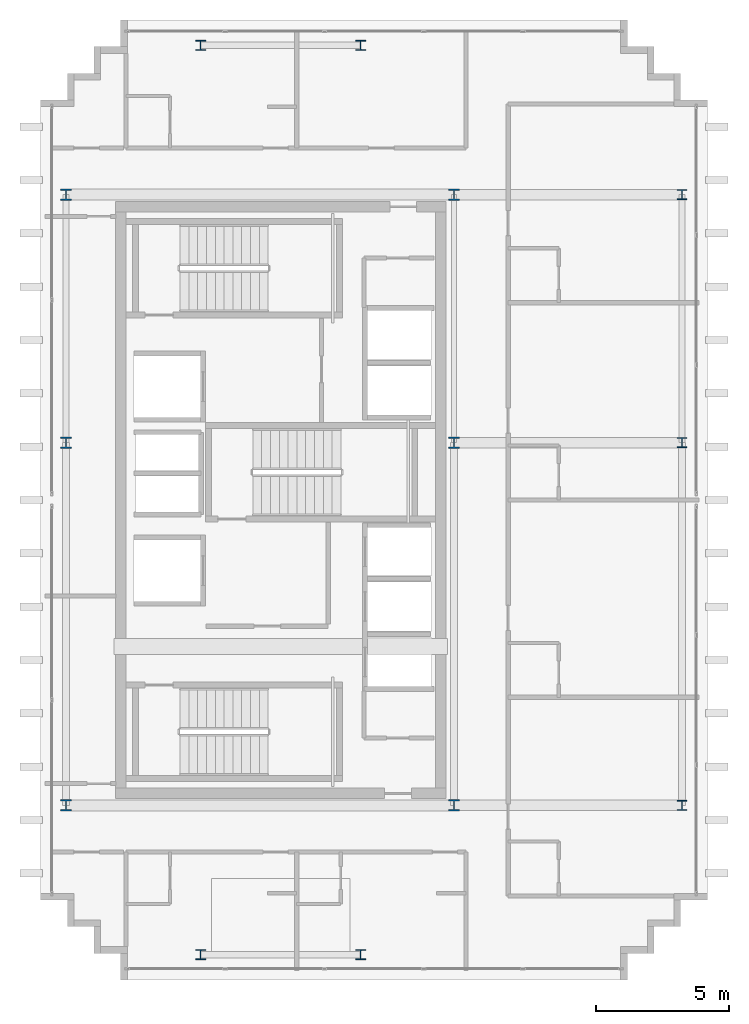
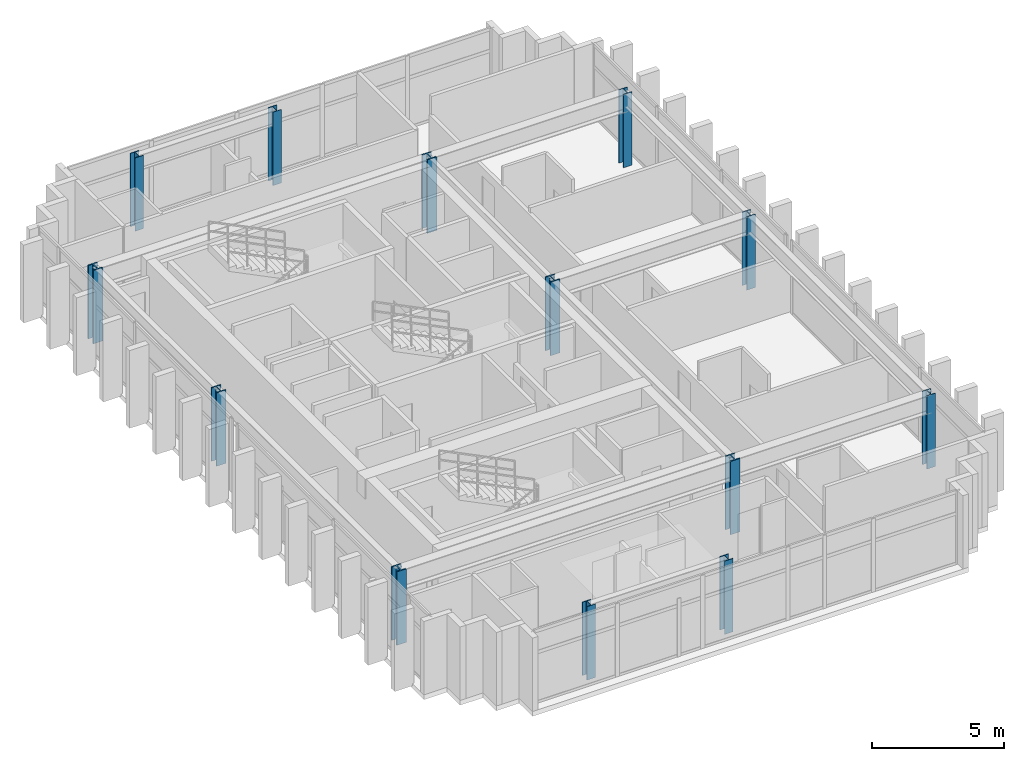
# One storey, part 1 of 15: 13 columns.
"""IFC4 building model written with IfcOpenShell, lengths in metres."""

from ifc_helpers import new_model, si_unit, direction, frame, origin, origin_2d, place, context, subcontext, project, spatial, i_section, extrude, source, transform, mapped, material, material_profile, profile_set, type_object, element, save


model = new_model("IFC4")

# Units and contexts
model_context = context("Model", 3, precision=1e-05, world=origin(), true_north=direction((0.0, 1.0)))
body_context = subcontext(model_context, "Body", "Model", "MODEL_VIEW")
ifc_project = project(units=[si_unit("LENGTHUNIT", "METRE"), si_unit("AREAUNIT", "SQUARE_METRE"), si_unit("VOLUMEUNIT", "CUBIC_METRE"), si_unit("PLANEANGLEUNIT", "RADIAN"), si_unit("MASSUNIT", "GRAM", prefix="KILO")], contexts=[model_context])

# Site, building, storey
site_placement = place(None, origin())
site = spatial("IfcSite", under=ifc_project, at=site_placement, CompositionType="ELEMENT")
building_placement = place(site_placement, origin())
building = spatial("IfcBuilding", under=site, at=building_placement, Name="Ocotamira Hotel", CompositionType="ELEMENT")
storey_placement = place(building_placement, frame((0.0, 0.0, 290.39990234375)))
storey = spatial("IfcBuildingStorey", under=building, at=storey_placement, Name="L74", CompositionType="ELEMENT", Elevation=290.39990234375)

# Columns
ifc_material_1 = material(Name="Steel ASTM A913 Grade 65", Category="steel")
ifc_material_profile_1 = material_profile(ifc_material_1, i_section(OverallWidth=0.412109375, OverallDepth=0.43505859375, WebThickness=0.035888671875, FlangeThickness=0.057373046875, FilletRadius=0.02490234375, at=origin_2d()), Name="W14X311")
ifc_profile_set_1 = profile_set([ifc_material_profile_1], Name="Steel ASTM A913 Grade 65")
column_type_1 = type_object("IfcColumnType", Name="COL-W14X311", PredefinedType="COLUMN", material=ifc_profile_set_1)
shared_shape_1 = source(origin(), body_context, "Body", "SweptSolid", [
    extrude(i_section(OverallWidth=0.412109375, OverallDepth=0.43505859375, WebThickness=0.035888671875, FlangeThickness=0.057373046875, FilletRadius=0.02490234375, at=origin_2d()), origin(), (0.0, 0.0, 1.0), 3.380126953125),
])
for number, where, z_axis, x_axis, name in (
    (1, (8.949951171875, 14.550048828125, 0.0), (0.0, 0.0, 1.0), (1.0, 0.0, 0.0), "L74 Column TW8_14"),
    (2, (23.5, 14.550048828125, 0.0), (0.0, 0.0, 1.0), (1.0, 0.0, 0.0), "L74 Column TW23_14"),
    (3, (8.949951171875, 28.14990234375, 0.0), (0.0, 0.0, 1.0), (1.0, 0.0, 0.0), "L74 Column TW8_28"),
    (4, (23.5, 28.14990234375, 0.0), (0.0, 0.0, 1.0), (1.0, 0.0, 0.0), "L74 Column TW23_28"),
    (5, (8.949951171875, 37.449951171875, 0.0), (0.0, 0.0, 1.0), (1.0, 0.0, 0.0), "L74 Column TW8_37"),
    (6, (23.5, 37.449951171875, 0.0), (0.0, 0.0, 1.0), (1.0, 0.0, 0.0), "L74 Column TW23_37"),
):
    element("IfcColumn", number, at=place(storey_placement, frame(where, z_axis=z_axis, x_axis=x_axis)), inside=storey, type_object=column_type_1, Name=name, PredefinedType="COLUMN", context=body_context, shape_type="MappedRepresentation", body=[
        mapped(shared_shape_1, transform((0.0, 0.0, 0.0), scale=1.0)),
    ])
ifc_material_2 = material(Name="Steel ASTM A992 Grade 50", Category="steel")
ifc_material_profile_2 = material_profile(ifc_material_2, i_section(OverallWidth=0.3740234375, OverallDepth=0.373046875, WebThickness=0.016357421875, FlangeThickness=0.026123046875, FilletRadius=0.02490234375, at=origin_2d()), Name="W14X132")
ifc_profile_set_2 = profile_set([ifc_material_profile_2], Name="Steel ASTM A992 Grade 50")
column_type_2 = type_object("IfcColumnType", Name="COL-W14X132", PredefinedType="COLUMN", material=ifc_profile_set_2)
shared_shape_2 = source(origin(), body_context, "Body", "SweptSolid", [
    extrude(i_section(OverallWidth=0.3740234375, OverallDepth=0.373046875, WebThickness=0.016357421875, FlangeThickness=0.026123046875, FilletRadius=0.02490234375, at=origin_2d()), origin(), (0.0, 0.0, 1.0), 3.380126953125),
])
for number, where, z_axis, x_axis, name in (
    (7, (14.0, 8.949951171875, 0.0), (0.0, 0.0, 1.0), (1.0, 0.0, 0.0), "L74 Column NSP1_14"),
    (8, (20.0, 8.949951171875, 0.0), (0.0, 0.0, 1.0), (1.0, 0.0, 0.0), "L74 Column NSP1_20"),
    (9, (14.0, 43.050048828125, 0.0), (0.0, 0.0, 1.0), (1.0, 0.0, 0.0), "L74 Column NSP2_14"),
    (10, (20.0, 43.050048828125, 0.0), (0.0, 0.0, 1.0), (1.0, 0.0, 0.0), "L74 Column NSP2_20"),
    (11, (32.050048828125, 14.550048828125, 0.0), (0.0, 0.0, 1.0), (1.0, 0.0, 0.0), "L74 Column WPE32_14"),
    (12, (32.050048828125, 28.14990234375, 0.0), (0.0, 0.0, 1.0), (1.0, 0.0, 0.0), "L74 Column WPE32_28"),
    (13, (32.050048828125, 37.449951171875, 0.0), (0.0, 0.0, 1.0), (1.0, 0.0, 0.0), "L74 Column WPE32_37"),
):
    element("IfcColumn", number, at=place(storey_placement, frame(where, z_axis=z_axis, x_axis=x_axis)), inside=storey, type_object=column_type_2, Name=name, PredefinedType="COLUMN", context=body_context, shape_type="MappedRepresentation", body=[
        mapped(shared_shape_2, transform((0.0, 0.0, 0.0), scale=1.0)),
    ])

save(model, "model.ifc")
